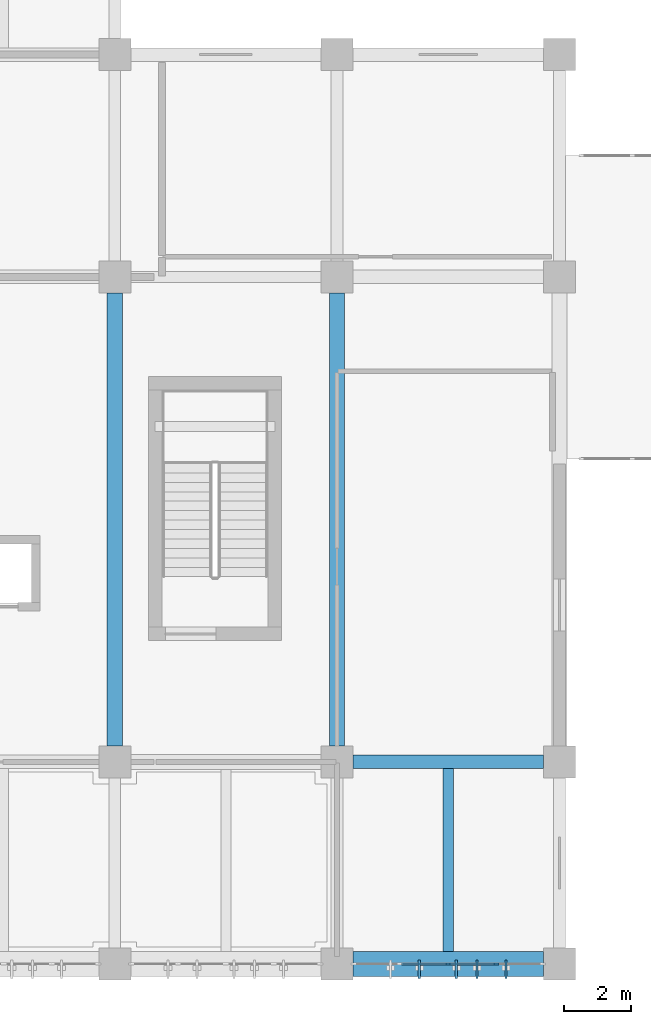
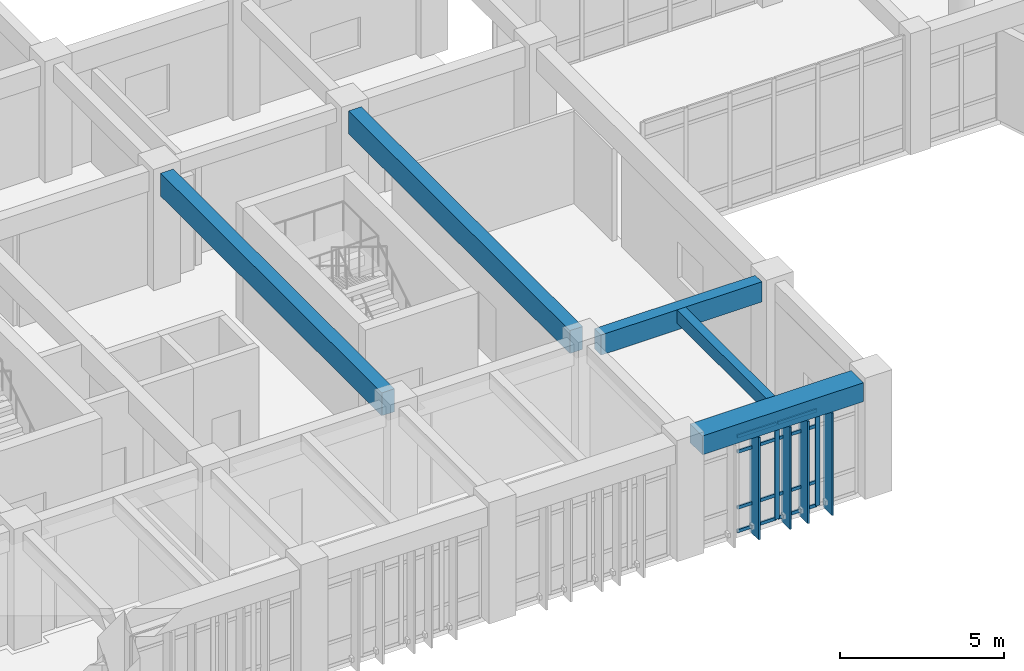
# One storey, part 4 of 57: 14 members, 5 beams, 1 element without a shape of its own.
"""IFC4 building model written with IfcOpenShell, lengths in metres."""

from ifc_helpers import new_model, si_unit, direction, frame, origin, origin_2d, place, context, subcontext, project, spatial, rectangle, extrude, material, layer, layer_set, material_profile, profile_set, type_object, element, aggregate, save


model = new_model("IFC4")

# Units and contexts
model_context = context("Model", 3, precision=1e-05, world=origin(), true_north=direction((0.0, 1.0)))
body_context = subcontext(model_context, "Body", "Model", "MODEL_VIEW")
ifc_project = project(units=[si_unit("LENGTHUNIT", "METRE"), si_unit("AREAUNIT", "SQUARE_METRE"), si_unit("VOLUMEUNIT", "CUBIC_METRE"), si_unit("PLANEANGLEUNIT", "RADIAN"), si_unit("MASSUNIT", "GRAM", prefix="KILO")], contexts=[model_context])

# Site, building, storey
site_placement = place(None, origin())
site = spatial("IfcSite", under=ifc_project, at=site_placement, CompositionType="ELEMENT")
building_placement = place(site_placement, origin())
building = spatial("IfcBuilding", under=site, at=building_placement, Name="Miralva Faculty of Natural Sciences", CompositionType="ELEMENT")
storey_placement = place(building_placement, frame((0.0, 0.0, 15.0)))
storey = spatial("IfcBuildingStorey", under=building, at=storey_placement, Name="L03", CompositionType="ELEMENT", Elevation=15.0)

# Beams
ifc_material_1 = material(Name="Concrete C40/50", Category="concrete")
ifc_material_profile_1 = material_profile(ifc_material_1, rectangle(XDim=0.449951171875, YDim=0.85009765625, at=origin_2d()), Name="RC 450x850")
ifc_profile_set_1 = profile_set([ifc_material_profile_1], Name="Concrete C40/50")
beam_type_1 = type_object("IfcBeamType", Name="BM-B01", PredefinedType="BEAM", material=ifc_profile_set_1)
for number, where, z_axis, x_axis, name in (
    (1, (22.800048828125, 9.47509765625, 3.85498046875), (0.0, 1.0, 0.0), (-1.0, 0.0, 0.0), "Girder NS L03-92"),
    (2, (29.39990234375, 9.47509765625, 3.85498046875), (0.0, 1.0, 0.0), (-1.0, 0.0, 0.0), "Girder NS L03-105"),
):
    element("IfcBeam", number, at=place(storey_placement, frame(where, z_axis=z_axis, x_axis=x_axis)), inside=storey, type_object=beam_type_1, Name=name, PredefinedType="BEAM", context=body_context, shape_type="SweptSolid", body=[
        extrude(rectangle(XDim=0.449951171875, YDim=0.85009765625, at=origin_2d()), origin(), (0.0, 0.0, 1.0), 13.449951171875),
    ])
ifc_material_profile_2 = material_profile(ifc_material_1, rectangle(XDim=0.39990234375, YDim=0.75, at=origin_2d()), Name="RC 400x750")
ifc_profile_set_2 = profile_set([ifc_material_profile_2], Name="Concrete C40/50")
beam_type_2 = type_object("IfcBeamType", Name="BM-B03", PredefinedType="BEAM", material=ifc_profile_set_2)
beam_1_placement = place(storey_placement, frame((29.875, 9.0, 3.905029296875), z_axis=(1.0, 0.0, 0.0), x_axis=(0.0, 1.0, 0.0)))
element("IfcBeam", 3, at=beam_1_placement, inside=storey, type_object=beam_type_2, Name="Girder EW L03-10", PredefinedType="BEAM", context=body_context, shape_type="SweptSolid", body=[
    extrude(rectangle(XDim=0.39990234375, YDim=0.75, at=origin_2d()), origin(), (0.0, 0.0, 1.0), 5.64990234375),
])
ifc_material_profile_3 = material_profile(ifc_material_1, rectangle(XDim=0.300048828125, YDim=0.5, at=origin_2d()), Name="RC 300x500")
ifc_profile_set_3 = profile_set([ifc_material_profile_3], Name="Concrete C40/50")
beam_type_3 = type_object("IfcBeamType", Name="BM-J03", PredefinedType="JOIST", material=ifc_profile_set_3)
beam_2_placement = place(storey_placement, frame((32.699951171875, 3.375, 4.030029296875), z_axis=(0.0, 1.0, 0.0), x_axis=(-1.0, 0.0, 0.0)))
element("IfcBeam", 4, at=beam_2_placement, inside=storey, type_object=beam_type_3, Name="Floor joist L03-5", PredefinedType="JOIST", context=body_context, shape_type="SweptSolid", body=[
    extrude(rectangle(XDim=0.300048828125, YDim=0.5, at=origin_2d()), origin(), (0.0, 0.0, 1.0), 5.425048828125),
])
ifc_material_profile_4 = material_profile(ifc_material_1, rectangle(XDim=0.75, YDim=0.699951171875, at=origin_2d()), Name="RC 750x700")
ifc_profile_set_4 = profile_set([ifc_material_profile_4], Name="Concrete C40/50")
beam_type_4 = type_object("IfcBeamType", Name="BM-SP01", PredefinedType="SPANDREL", material=ifc_profile_set_4)
beam_3_placement = place(storey_placement, frame((29.875, 3.0, 3.929931640625), z_axis=(1.0, 0.0, 0.0), x_axis=(0.0, 1.0, 0.0)))
element("IfcBeam", 5, at=beam_3_placement, inside=storey, type_object=beam_type_4, Name="Girder EW L03-5", PredefinedType="SPANDREL", context=body_context, shape_type="SweptSolid", body=[
    extrude(rectangle(XDim=0.75, YDim=0.699951171875, at=origin_2d()), origin(), (0.0, 0.0, 1.0), 5.64990234375),
])

# Curtain wall, members
ifc_material_2 = material(Name="Laminated solar-control glass", Category="glass")
ifc_layer = layer(ifc_material_2, 0.179931640625, Name="CW-TWR-L03")
ifc_layer_set = layer_set([ifc_layer], Name="Laminated solar-control glass")
curtain_wall_type = type_object("IfcCurtainWallType", Name="CW-TWR-L03", PredefinedType="USERDEFINED", material=ifc_layer_set)
curtain_wall_placement = place(storey_placement, origin())
curtain_wall = element("IfcCurtainWall", 6, at=curtain_wall_placement, inside=storey, type_object=curtain_wall_type, Name="Curtain wall CW-14 L03-227", ObjectType="UNITISED CURTAIN WALL", PredefinedType="USERDEFINED")
ifc_material_3 = material(Name="Anodised aluminium", Category="aluminium")
ifc_material_profile_5 = material_profile(ifc_material_3, rectangle(XDim=0.06494140625, YDim=0.159912109375, at=origin_2d()), Name="MULLION 65x160")
ifc_profile_set_5 = profile_set([ifc_material_profile_5], Name="Anodised aluminium")
member_type_1 = type_object("IfcMemberType", Name="CW-M02", PredefinedType="MULLION", material=ifc_profile_set_5)
member_1_placement = place(storey_placement, frame((32.699951171875, 3.0, 0.0), z_axis=(0.0, 0.0, 1.0), x_axis=(0.0, 1.0, 0.0)))
member_1 = element("IfcMember", 7, at=member_1_placement, type_object=member_type_1, Name="CW-14 mullion 3", PredefinedType="MULLION", context=body_context, shape_type="SweptSolid", body=[
    extrude(rectangle(XDim=0.06494140625, YDim=0.159912109375, at=origin_2d()), origin(), (0.0, 0.0, 1.0), 3.574951171875),
])
member_2_placement = place(storey_placement, frame((34.12255859375, 3.0, 0.0), z_axis=(0.0, 0.0, 1.0), x_axis=(0.0, 1.0, 0.0)))
member_2 = element("IfcMember", 8, at=member_2_placement, type_object=member_type_1, Name="CW-14 mullion 4", PredefinedType="MULLION", context=body_context, shape_type="SweptSolid", body=[
    extrude(rectangle(XDim=0.06494140625, YDim=0.159912109375, at=origin_2d()), origin(), (0.0, 0.0, 1.0), 3.574951171875),
])
ifc_material_profile_6 = material_profile(ifc_material_3, rectangle(XDim=0.06005859375, YDim=0.1201171875, at=origin_2d()), Name="TRANSOM 60x120")
ifc_profile_set_6 = profile_set([ifc_material_profile_6], Name="Anodised aluminium")
member_type_2 = type_object("IfcMemberType", Name="CW-T02", PredefinedType="USERDEFINED", material=ifc_profile_set_6)
member_3_placement = place(storey_placement, frame((31.31005859375, 3.0, 0.030029296875), z_axis=(1.0, 0.0, 0.0), x_axis=(0.0, 1.0, 0.0)))
member_3 = element("IfcMember", 9, at=member_3_placement, type_object=member_type_2, Name="CW-14 transom 2.1", ObjectType="TRANSOM", PredefinedType="USERDEFINED", context=body_context, shape_type="SweptSolid", body=[
    extrude(rectangle(XDim=0.06005859375, YDim=0.1201171875, at=origin_2d()), origin(), (0.0, 0.0, 1.0), 1.357421875),
])
member_4_placement = place(storey_placement, frame((31.31005859375, 3.0, 0.89990234375), z_axis=(1.0, 0.0, 0.0), x_axis=(0.0, 1.0, 0.0)))
member_4 = element("IfcMember", 10, at=member_4_placement, type_object=member_type_2, Name="CW-14 transom 2.2", ObjectType="TRANSOM", PredefinedType="USERDEFINED", context=body_context, shape_type="SweptSolid", body=[
    extrude(rectangle(XDim=0.06005859375, YDim=0.1201171875, at=origin_2d()), origin(), (0.0, 0.0, 1.0), 1.357421875),
])
member_5_placement = place(storey_placement, frame((31.31005859375, 3.0, 2.97509765625), z_axis=(1.0, 0.0, 0.0), x_axis=(0.0, 1.0, 0.0)))
member_5 = element("IfcMember", 11, at=member_5_placement, type_object=member_type_2, Name="CW-14 transom 2.3", ObjectType="TRANSOM", PredefinedType="USERDEFINED", context=body_context, shape_type="SweptSolid", body=[
    extrude(rectangle(XDim=0.06005859375, YDim=0.1201171875, at=origin_2d()), origin(), (0.0, 0.0, 1.0), 1.357421875),
])
member_6_placement = place(storey_placement, frame((31.31005859375, 3.0, 3.544921875), z_axis=(1.0, 0.0, 0.0), x_axis=(0.0, 1.0, 0.0)))
member_6 = element("IfcMember", 12, at=member_6_placement, type_object=member_type_2, Name="CW-14 transom 2.4", ObjectType="TRANSOM", PredefinedType="USERDEFINED", context=body_context, shape_type="SweptSolid", body=[
    extrude(rectangle(XDim=0.06005859375, YDim=0.1201171875, at=origin_2d()), origin(), (0.0, 0.0, 1.0), 1.357421875),
])
member_7_placement = place(storey_placement, frame((32.732421875, 3.0, 0.030029296875), z_axis=(1.0, 0.0, 0.0), x_axis=(0.0, 1.0, 0.0)))
member_7 = element("IfcMember", 13, at=member_7_placement, type_object=member_type_2, Name="CW-14 transom 3.1", ObjectType="TRANSOM", PredefinedType="USERDEFINED", context=body_context, shape_type="SweptSolid", body=[
    extrude(rectangle(XDim=0.06005859375, YDim=0.1201171875, at=origin_2d()), origin(), (0.0, 0.0, 1.0), 1.357666015625),
])
member_8_placement = place(storey_placement, frame((32.732421875, 3.0, 0.89990234375), z_axis=(1.0, 0.0, 0.0), x_axis=(0.0, 1.0, 0.0)))
member_8 = element("IfcMember", 14, at=member_8_placement, type_object=member_type_2, Name="CW-14 transom 3.2", ObjectType="TRANSOM", PredefinedType="USERDEFINED", context=body_context, shape_type="SweptSolid", body=[
    extrude(rectangle(XDim=0.06005859375, YDim=0.1201171875, at=origin_2d()), origin(), (0.0, 0.0, 1.0), 1.357666015625),
])
member_9_placement = place(storey_placement, frame((32.732421875, 3.0, 2.97509765625), z_axis=(1.0, 0.0, 0.0), x_axis=(0.0, 1.0, 0.0)))
member_9 = element("IfcMember", 15, at=member_9_placement, type_object=member_type_2, Name="CW-14 transom 3.3", ObjectType="TRANSOM", PredefinedType="USERDEFINED", context=body_context, shape_type="SweptSolid", body=[
    extrude(rectangle(XDim=0.06005859375, YDim=0.1201171875, at=origin_2d()), origin(), (0.0, 0.0, 1.0), 1.357666015625),
])
member_10_placement = place(storey_placement, frame((32.732421875, 3.0, 3.544921875), z_axis=(1.0, 0.0, 0.0), x_axis=(0.0, 1.0, 0.0)))
member_10 = element("IfcMember", 16, at=member_10_placement, type_object=member_type_2, Name="CW-14 transom 3.4", ObjectType="TRANSOM", PredefinedType="USERDEFINED", context=body_context, shape_type="SweptSolid", body=[
    extrude(rectangle(XDim=0.06005859375, YDim=0.1201171875, at=origin_2d()), origin(), (0.0, 0.0, 1.0), 1.357666015625),
])
aggregate(curtain_wall, [member_1, member_2, member_3, member_4, member_5, member_6, member_7, member_8, member_9, member_10])

# Members
ifc_material_profile_7 = material_profile(ifc_material_3, rectangle(XDim=0.06494140625, YDim=0.550048828125, at=origin_2d()), Name="FIN 550x65")
ifc_profile_set_7 = profile_set([ifc_material_profile_7], Name="Anodised aluminium")
member_type_3 = type_object("IfcMemberType", Name="MEM-SF03", PredefinedType="USERDEFINED", material=ifc_profile_set_7)
for number, where, z_axis, x_axis, name in (
    (17, (31.842041015625, 2.840087890625, -0.219970703125), (0.0, 0.0, 1.0), (1.0, 0.0, 0.0), "Solar shading fin SF-03 L03-277"),
    (18, (32.93994140625, 2.840087890625, -0.219970703125), (0.0, 0.0, 1.0), (1.0, 0.0, 0.0), "Solar shading fin SF-03 L03-278"),
    (19, (33.55810546875, 2.840087890625, -0.219970703125), (0.0, 0.0, 1.0), (1.0, 0.0, 0.0), "Solar shading fin SF-03 L03-279"),
    (20, (34.416015625, 2.840087890625, -0.219970703125), (0.0, 0.0, 1.0), (1.0, 0.0, 0.0), "Solar shading fin SF-03 L03-280"),
):
    element("IfcMember", number, at=place(storey_placement, frame(where, z_axis=z_axis, x_axis=x_axis)), inside=storey, type_object=member_type_3, Name=name, ObjectType="SUNSHADE", PredefinedType="USERDEFINED", context=body_context, shape_type="SweptSolid", body=[
        extrude(rectangle(XDim=0.06494140625, YDim=0.550048828125, at=origin_2d()), origin(), (0.0, 0.0, 1.0), 3.794921875),
    ])

save(model, "model.ifc")
